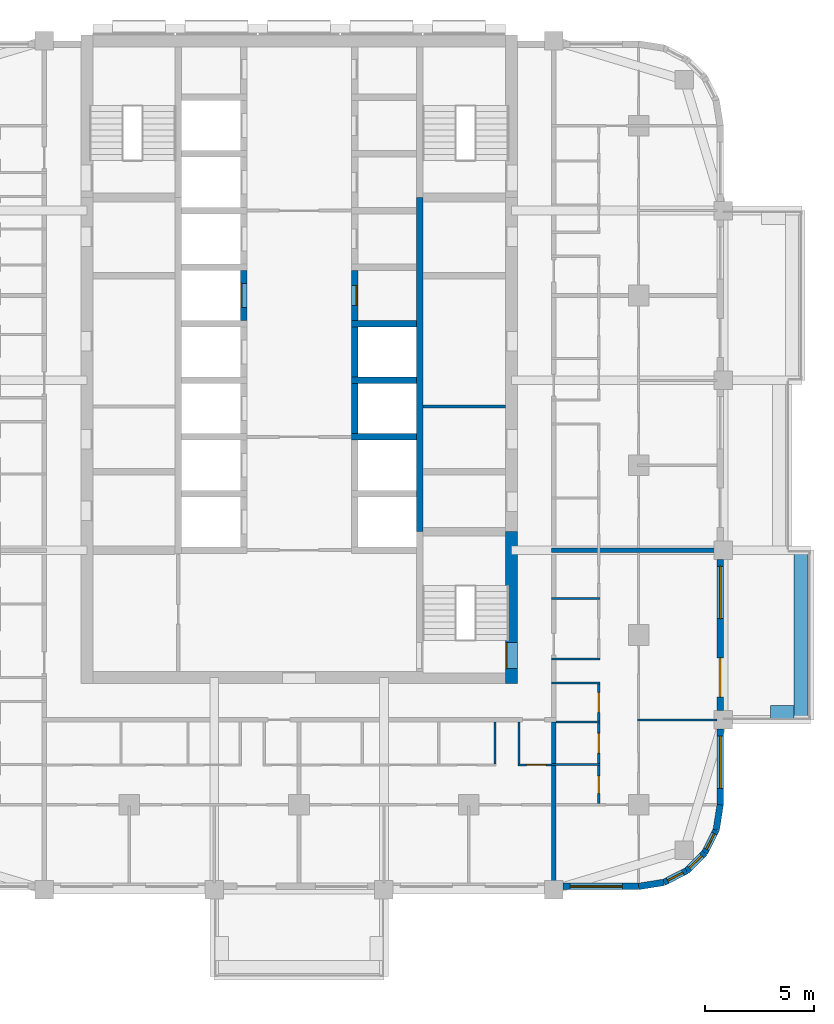
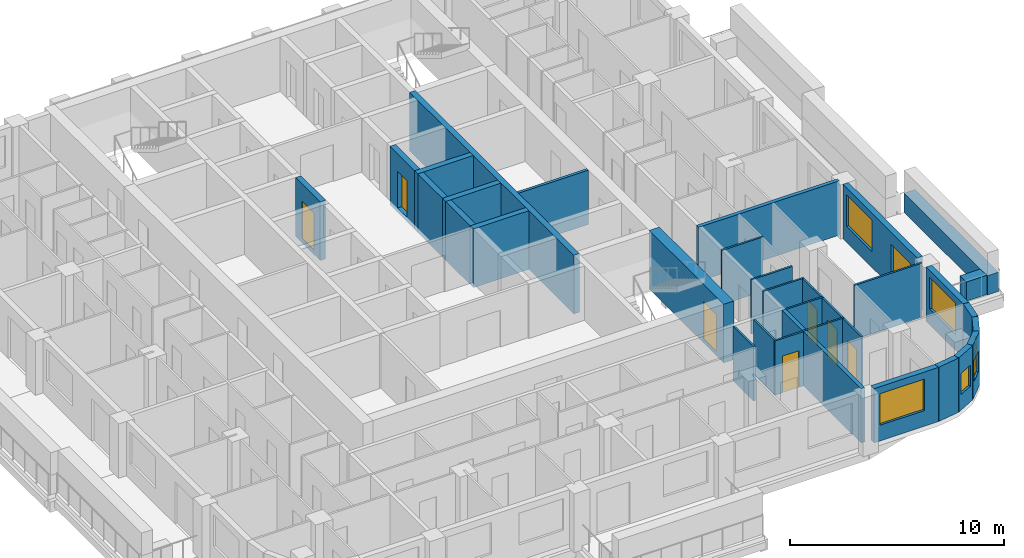
# One storey, part 6 of 14: 32 walls, 8 doors, 6 windows, 14 openings.
"""IFC4 building model written with IfcOpenShell, lengths in metres."""

from ifc_helpers import new_model, si_unit, direction, frame, frame_2d, origin, place, context, subcontext, project, spatial, rectangle, extrude, material, layer, layer_set, type_object, element, fill, save


model = new_model("IFC4")

# Units and contexts
model_context = context("Model", 3, precision=1e-05, world=origin(), true_north=direction((0.0, 1.0)))
body_context = subcontext(model_context, "Body", "Model", "MODEL_VIEW")
ifc_project = project(units=[si_unit("LENGTHUNIT", "METRE"), si_unit("AREAUNIT", "SQUARE_METRE"), si_unit("VOLUMEUNIT", "CUBIC_METRE"), si_unit("PLANEANGLEUNIT", "RADIAN"), si_unit("MASSUNIT", "GRAM", prefix="KILO")], contexts=[model_context])

# Site, building, storey
site_placement = place(None, origin())
site = spatial("IfcSite", under=ifc_project, at=site_placement, CompositionType="ELEMENT")
building_placement = place(site_placement, origin())
building = spatial("IfcBuilding", under=site, at=building_placement, Name="Ludao Terraces", CompositionType="ELEMENT")
storey_placement = place(building_placement, frame((0.0, 0.0, 113.5)))
storey = spatial("IfcBuildingStorey", under=building, at=storey_placement, Name="L31", CompositionType="ELEMENT", Elevation=113.5)

# Wall, opening, door
ifc_material_1 = material(Name="Concrete C60", Category="concrete")
ifc_layer_1 = layer(ifc_material_1, 0.550048828125)
ifc_layer_set_1 = layer_set([ifc_layer_1], Name="Core wall 550 C60")
wall_type_1 = type_object("IfcWallType", Name="Core wall 550 C60", PredefinedType="SOLIDWALL", material=ifc_layer_set_1)
wall_1_placement = place(storey_placement, frame((94.75, 54.97509765625, -0.25), z_axis=(0.0, 0.0, 1.0), x_axis=(0.0, 1.0, 0.0)))
wall_1 = element("IfcWall", 1, at=wall_1_placement, inside=storey, type_object=wall_type_1, Name="Core wall L31 outer-E-S3", PredefinedType="SOLIDWALL", context=body_context, shape_type="SweptSolid", body=[
    extrude(rectangle(XDim=6.974853515625, YDim=0.550048828125, at=frame_2d((3.4873046875, 0.0))), origin(), (0.0, 0.0, 1.0), 3.35009765625),
])
opening_1_placement = place(wall_1_placement, frame((0.675048828125, 0.0, 0.25)))
opening_1 = element("IfcOpeningElement", 2, at=opening_1_placement, cuts=wall_1, Name="Opening R09-033", PredefinedType="OPENING", context=body_context, shape_type="SweptSolid", body=[
    extrude(rectangle(XDim=1.199951171875, YDim=2.10009765625, at=frame_2d((0.60009765625, 1.050048828125))), frame((0.0, 0.28515625, 0.0), z_axis=(0.0, -1.0, 0.0), x_axis=(1.0, 0.0, 0.0)), (0.0, 0.0, 1.0), 0.570068359375),
])
ifc_material_2 = material(Name="Steel Q235", Category="steel")
door_type_1 = type_object("IfcDoorType", Name="INT Stair door 1200", OperationType="DOUBLE_DOOR_SINGLE_SWING", PredefinedType="DOOR", material=ifc_material_2)
door_1_placement = place(opening_1_placement, origin())
door_1 = element("IfcDoor", 3, at=door_1_placement, inside=storey, type_object=door_type_1, Name="DOOR 033", OperationType="DOUBLE_DOOR_SINGLE_SWING", OverallHeight=2.10009765625, OverallWidth=1.199951171875, PredefinedType="DOOR", context=body_context, shape_type="SweptSolid", body=[
    extrude(rectangle(XDim=1.199951171875, YDim=2.10009765625, at=frame_2d((0.60009765625, 1.050048828125))), frame((0.0, 0.26025390625, 0.0), z_axis=(0.0, -1.0, 0.0), x_axis=(1.0, 0.0, 0.0)), (0.0, 0.0, 1.0), 0.050048828125),
])
fill(opening_1, door_1)

# Walls
ifc_material_3 = material(Name="Concrete C40", Category="concrete")
ifc_layer_2 = layer(ifc_material_3, 0.60009765625)
ifc_layer_set_2 = layer_set([ifc_layer_2], Name="ENV Planter trough 600")
wall_type_2 = type_object("IfcWallType", Name="ENV Planter trough 600", PredefinedType="USERDEFINED", material=ifc_layer_set_2)
wall_2_placement = place(storey_placement, frame((108.050048828125, 53.300048828125, 0.0), z_axis=(0.0, 0.0, 1.0), x_axis=(0.0, 1.0, 0.0)))
element("IfcWall", 4, at=wall_2_placement, inside=storey, type_object=wall_type_2, Name="PL-L31-E1", ObjectType="PLANTER", PredefinedType="USERDEFINED", context=body_context, shape_type="SweptSolid", body=[
    extrude(rectangle(XDim=7.800048828125, YDim=0.60009765625, at=frame_2d((3.89990234375, 0.0))), origin(), (0.0, 0.0, 1.0), 1.10009765625),
])
wall_3_placement = place(storey_placement, frame((107.75, 53.64990234375, 0.0), z_axis=(0.0, 0.0, 1.0), x_axis=(-1.0, 0.0, 0.0)))
element("IfcWall", 5, at=wall_3_placement, inside=storey, type_object=wall_type_2, Name="PL-L31-E1-SA", ObjectType="PLANTER", PredefinedType="USERDEFINED", context=body_context, shape_type="SweptSolid", body=[
    extrude(rectangle(XDim=1.10009765625, YDim=0.60009765625, at=frame_2d((0.550048828125, 0.0))), origin(), (0.0, 0.0, 1.0), 1.10009765625),
])

# Wall, opening, window
ifc_material_4 = material(Name="Granite cladding", Category="masonry")
ifc_layer_3 = layer(ifc_material_4, 0.0400390625, Category="stone")
ifc_material_5 = material(Name="Mineral wool")
ifc_layer_4 = layer(ifc_material_5, 0.06005859375)
ifc_layer_5 = layer(ifc_material_3, 0.199951171875, Category="concrete")
ifc_layer_set_3 = layer_set([ifc_layer_3, ifc_layer_4, ifc_layer_5], Name="ENV Stone-clad wall 300")
wall_type_3 = type_object("IfcWallType", Name="ENV Stone-clad wall 300", PredefinedType="SOLIDWALL", material=ifc_layer_set_3)
wall_4_placement = place(storey_placement, frame((97.125, 45.64990234375, 0.0), z_axis=(0.0, 0.0, 1.0), x_axis=(1.0, 0.0, 0.0)))
wall_4 = element("IfcWall", 6, at=wall_4_placement, inside=storey, type_object=wall_type_3, Name="EW-L31-S5", PredefinedType="SOLIDWALL", context=body_context, shape_type="SweptSolid", body=[
    extrude(rectangle(XDim=3.47509765625, YDim=0.300048828125, at=frame_2d((1.737548828125, 0.0))), origin(), (0.0, 0.0, 1.0), 3.10009765625),
])
opening_2_placement = place(wall_4_placement, frame((0.324951171875, 0.0, 0.89990234375)))
opening_2 = element("IfcOpeningElement", 7, at=opening_2_placement, cuts=wall_4, Name="Opening W1", PredefinedType="OPENING", context=body_context, shape_type="SweptSolid", body=[
    extrude(rectangle(XDim=2.39990234375, YDim=1.800048828125, at=frame_2d((1.199951171875, 0.89990234375))), frame((0.0, 0.16015625, 0.0), z_axis=(0.0, -1.0, 0.0), x_axis=(1.0, 0.0, 0.0)), (0.0, 0.0, 1.0), 0.320068359375),
])
ifc_material_6 = material(Name="Clear glass in aluminium frame", Category="aluminium")
ifc_layer_6 = layer(ifc_material_6, 0.06005859375)
ifc_layer_set_4 = layer_set([ifc_layer_6], Name="ENV Window W1 2400x1800")
window_type_1 = type_object("IfcWindowType", Name="ENV Window W1 2400x1800", PartitioningType="DOUBLE_PANEL_VERTICAL", PredefinedType="WINDOW", material=ifc_layer_set_4)
window_1_placement = place(opening_2_placement, origin())
window_1 = element("IfcWindow", 8, at=window_1_placement, inside=storey, type_object=window_type_1, Name="W-L31-S5-1", OverallHeight=1.800048828125, OverallWidth=2.39990234375, PartitioningType="DOUBLE_PANEL_VERTICAL", PredefinedType="WINDOW", context=body_context, shape_type="SweptSolid", body=[
    extrude(rectangle(XDim=2.39990234375, YDim=1.800048828125, at=frame_2d((1.199951171875, 0.89990234375))), frame((0.0, 0.030029296875, 0.0), z_axis=(0.0, -1.0, 0.0), x_axis=(1.0, 0.0, 0.0)), (0.0, 0.0, 1.0), 0.06005859375),
])
fill(opening_2, window_1)

wall_5_placement = place(storey_placement, frame((104.35009765625, 49.39990234375, 0.0), z_axis=(0.0, 0.0, 1.0), x_axis=(0.0, 1.0, 0.0)))
wall_5 = element("IfcWall", 9, at=wall_5_placement, inside=storey, type_object=wall_type_3, Name="EW-L31-E1", PredefinedType="SOLIDWALL", context=body_context, shape_type="SweptSolid", body=[
    extrude(rectangle(XDim=3.47509765625, YDim=0.300048828125, at=frame_2d((1.737548828125, 0.0))), origin(), (0.0, 0.0, 1.0), 3.10009765625),
])
opening_3_placement = place(wall_5_placement, frame((0.75, 0.0, 0.89990234375)))
opening_3 = element("IfcOpeningElement", 10, at=opening_3_placement, cuts=wall_5, Name="Opening W1", PredefinedType="OPENING", context=body_context, shape_type="SweptSolid", body=[
    extrude(rectangle(XDim=2.39990234375, YDim=1.800048828125, at=frame_2d((1.199951171875, 0.89990234375))), frame((0.0, 0.16015625, 0.0), z_axis=(0.0, -1.0, 0.0), x_axis=(1.0, 0.0, 0.0)), (0.0, 0.0, 1.0), 0.320068359375),
])
window_2_placement = place(opening_3_placement, origin())
window_2 = element("IfcWindow", 11, at=window_2_placement, inside=storey, type_object=window_type_1, Name="W-L31-E1-1", OverallHeight=1.800048828125, OverallWidth=2.39990234375, PartitioningType="DOUBLE_PANEL_VERTICAL", PredefinedType="WINDOW", context=body_context, shape_type="SweptSolid", body=[
    extrude(rectangle(XDim=2.39990234375, YDim=1.800048828125, at=frame_2d((1.199951171875, 0.89990234375))), frame((0.0, 0.030029296875, 0.0), z_axis=(0.0, -1.0, 0.0), x_axis=(1.0, 0.0, 0.0)), (0.0, 0.0, 1.0), 0.06005859375),
])
fill(opening_3, window_2)

# Wall, openings, door, window
wall_6_placement = place(storey_placement, frame((104.35009765625, 53.72509765625, 0.0), z_axis=(0.0, 0.0, 1.0), x_axis=(0.0, 1.0, 0.0)))
wall_6 = element("IfcWall", 12, at=wall_6_placement, inside=storey, type_object=wall_type_3, Name="EW-L31-E2", PredefinedType="SOLIDWALL", context=body_context, shape_type="SweptSolid", body=[
    extrude(rectangle(XDim=6.949951171875, YDim=0.300048828125, at=frame_2d((3.47509765625, 0.0))), origin(), (0.0, 0.0, 1.0), 3.10009765625),
])
opening_4_placement = place(wall_6_placement, frame((0.625, 0.0, 0.0)))
opening_4 = element("IfcOpeningElement", 13, at=opening_4_placement, cuts=wall_6, Name="Opening BD", PredefinedType="OPENING", context=body_context, shape_type="SweptSolid", body=[
    extrude(rectangle(XDim=1.800048828125, YDim=2.39990234375, at=frame_2d((0.89990234375, 1.199951171875))), frame((0.0, 0.16015625, 0.0), z_axis=(0.0, -1.0, 0.0), x_axis=(1.0, 0.0, 0.0)), (0.0, 0.0, 1.0), 0.320068359375),
])
opening_5_placement = place(wall_6_placement, frame((4.22509765625, 0.0, 0.89990234375)))
opening_5 = element("IfcOpeningElement", 14, at=opening_5_placement, cuts=wall_6, Name="Opening W1", PredefinedType="OPENING", context=body_context, shape_type="SweptSolid", body=[
    extrude(rectangle(XDim=2.39990234375, YDim=1.800048828125, at=frame_2d((1.199951171875, 0.89990234375))), frame((0.0, 0.16015625, 0.0), z_axis=(0.0, -1.0, 0.0), x_axis=(1.0, 0.0, 0.0)), (0.0, 0.0, 1.0), 0.320068359375),
])
ifc_material_7 = material(Name="Aluminium glazed door", Category="aluminium")
ifc_layer_7 = layer(ifc_material_7, 0.06005859375)
ifc_layer_set_5 = layer_set([ifc_layer_7], Name="ENV Balcony door BD 1800x2400")
door_type_2 = type_object("IfcDoorType", Name="ENV Balcony door BD 1800x2400", OperationType="DOUBLE_DOOR_SINGLE_SWING", PredefinedType="DOOR", material=ifc_layer_set_5)
door_2_placement = place(opening_4_placement, origin())
door_2 = element("IfcDoor", 15, at=door_2_placement, inside=storey, type_object=door_type_2, Name="BD-L31-E2-1", OperationType="DOUBLE_DOOR_SINGLE_SWING", OverallHeight=2.39990234375, OverallWidth=1.800048828125, PredefinedType="DOOR", context=body_context, shape_type="SweptSolid", body=[
    extrude(rectangle(XDim=1.800048828125, YDim=2.39990234375, at=frame_2d((0.89990234375, 1.199951171875))), frame((0.0, 0.02490234375, 0.0), z_axis=(0.0, -1.0, 0.0), x_axis=(1.0, 0.0, 0.0)), (0.0, 0.0, 1.0), 0.050048828125),
])
fill(opening_4, door_2)
window_3_placement = place(opening_5_placement, origin())
window_3 = element("IfcWindow", 16, at=window_3_placement, inside=storey, type_object=window_type_1, Name="W-L31-E2-2", OverallHeight=1.800048828125, OverallWidth=2.39990234375, PartitioningType="DOUBLE_PANEL_VERTICAL", PredefinedType="WINDOW", context=body_context, shape_type="SweptSolid", body=[
    extrude(rectangle(XDim=2.39990234375, YDim=1.800048828125, at=frame_2d((1.199951171875, 0.89990234375))), frame((0.0, 0.030029296875, 0.0), z_axis=(0.0, -1.0, 0.0), x_axis=(1.0, 0.0, 0.0)), (0.0, 0.0, 1.0), 0.06005859375),
])
fill(opening_5, window_3)

# Wall
wall_7_placement = place(storey_placement, frame((100.60009765625, 45.64990234375, 0.0), z_axis=(0.0, 0.0, 1.0), x_axis=(0.987678452879, 0.156496880861, 0.0)))
element("IfcWall", 17, at=wall_7_placement, inside=storey, type_object=wall_type_3, Name="EW-L31-SE1", PredefinedType="SOLIDWALL", context=body_context, shape_type="SweptSolid", body=[
    extrude(rectangle(XDim=1.173095703125, YDim=0.300048828125, at=frame_2d((0.58642578125, 0.0))), origin(), (0.0, 0.0, 1.0), 3.10009765625),
])

# Wall, opening, window
wall_8_placement = place(storey_placement, frame((101.7587890625, 45.83349609375, 0.0), z_axis=(0.0, 0.0, 1.0), x_axis=(0.890988677504, 0.454025524128, 0.0)))
wall_8 = element("IfcWall", 18, at=wall_8_placement, inside=storey, type_object=wall_type_3, Name="EW-L31-SE2", PredefinedType="SOLIDWALL", context=body_context, shape_type="SweptSolid", body=[
    extrude(rectangle(XDim=1.17333984375, YDim=0.300048828125, at=frame_2d((0.586669921875, 0.0))), origin(), (0.0, 0.0, 1.0), 3.10009765625),
])
opening_6_placement = place(wall_8_placement, frame((0.1865234375, 0.0, 0.89990234375)))
opening_6 = element("IfcOpeningElement", 19, at=opening_6_placement, cuts=wall_8, Name="Opening W3", PredefinedType="OPENING", context=body_context, shape_type="SweptSolid", body=[
    extrude(rectangle(XDim=0.800048828125, YDim=1.199951171875, at=frame_2d((0.39990234375, 0.60009765625))), frame((0.0, 0.16015625, 0.0), z_axis=(0.0, -1.0, 0.0), x_axis=(1.0, 0.0, 0.0)), (0.0, 0.0, 1.0), 0.320068359375),
])
ifc_layer_8 = layer(ifc_material_6, 0.06005859375)
ifc_layer_set_6 = layer_set([ifc_layer_8], Name="ENV Window W3 800x1200")
window_type_2 = type_object("IfcWindowType", Name="ENV Window W3 800x1200", PartitioningType="SINGLE_PANEL", PredefinedType="WINDOW", material=ifc_layer_set_6)
window_4_placement = place(opening_6_placement, origin())
window_4 = element("IfcWindow", 20, at=window_4_placement, inside=storey, type_object=window_type_2, Name="W-L31-SE2", OverallHeight=1.199951171875, OverallWidth=0.800048828125, PartitioningType="SINGLE_PANEL", PredefinedType="WINDOW", context=body_context, shape_type="SweptSolid", body=[
    extrude(rectangle(XDim=0.800048828125, YDim=1.199951171875, at=frame_2d((0.39990234375, 0.60009765625))), frame((0.0, 0.030029296875, 0.0), z_axis=(0.0, -1.0, 0.0), x_axis=(1.0, 0.0, 0.0)), (0.0, 0.0, 1.0), 0.06005859375),
])
fill(opening_6, window_4)

wall_9_placement = place(storey_placement, frame((102.80419921875, 46.3662109375, 0.0), z_axis=(0.0, 0.0, 1.0), x_axis=(0.707106781187, 0.707106781187, 0.0)))
wall_9 = element("IfcWall", 21, at=wall_9_placement, inside=storey, type_object=wall_type_3, Name="EW-L31-SE3", PredefinedType="SOLIDWALL", context=body_context, shape_type="SweptSolid", body=[
    extrude(rectangle(XDim=1.173095703125, YDim=0.300048828125, at=frame_2d((0.58642578125, 0.0))), origin(), (0.0, 0.0, 1.0), 3.10009765625),
])
opening_7_placement = place(wall_9_placement, frame((0.1865234375, 0.0, 0.89990234375)))
opening_7 = element("IfcOpeningElement", 22, at=opening_7_placement, cuts=wall_9, Name="Opening W3", PredefinedType="OPENING", context=body_context, shape_type="SweptSolid", body=[
    extrude(rectangle(XDim=0.800048828125, YDim=1.199951171875, at=frame_2d((0.39990234375, 0.60009765625))), frame((0.0, 0.16015625, 0.0), z_axis=(0.0, -1.0, 0.0), x_axis=(1.0, 0.0, 0.0)), (0.0, 0.0, 1.0), 0.320068359375),
])
window_5_placement = place(opening_7_placement, origin())
window_5 = element("IfcWindow", 23, at=window_5_placement, inside=storey, type_object=window_type_2, Name="W-L31-SE3", OverallHeight=1.199951171875, OverallWidth=0.800048828125, PartitioningType="SINGLE_PANEL", PredefinedType="WINDOW", context=body_context, shape_type="SweptSolid", body=[
    extrude(rectangle(XDim=0.800048828125, YDim=1.199951171875, at=frame_2d((0.39990234375, 0.60009765625))), frame((0.0, 0.030029296875, 0.0), z_axis=(0.0, -1.0, 0.0), x_axis=(1.0, 0.0, 0.0)), (0.0, 0.0, 1.0), 0.06005859375),
])
fill(opening_7, window_5)

wall_10_placement = place(storey_placement, frame((103.6337890625, 47.19580078125, 0.0), z_axis=(0.0, 0.0, 1.0), x_axis=(0.454025524128, 0.890988677504, 0.0)))
wall_10 = element("IfcWall", 24, at=wall_10_placement, inside=storey, type_object=wall_type_3, Name="EW-L31-SE4", PredefinedType="SOLIDWALL", context=body_context, shape_type="SweptSolid", body=[
    extrude(rectangle(XDim=1.17333984375, YDim=0.300048828125, at=frame_2d((0.586669921875, 0.0))), origin(), (0.0, 0.0, 1.0), 3.10009765625),
])
opening_8_placement = place(wall_10_placement, frame((0.1865234375, 0.0, 0.89990234375)))
opening_8 = element("IfcOpeningElement", 25, at=opening_8_placement, cuts=wall_10, Name="Opening W3", PredefinedType="OPENING", context=body_context, shape_type="SweptSolid", body=[
    extrude(rectangle(XDim=0.800048828125, YDim=1.199951171875, at=frame_2d((0.39990234375, 0.60009765625))), frame((0.0, 0.16015625, 0.0), z_axis=(0.0, -1.0, 0.0), x_axis=(1.0, 0.0, 0.0)), (0.0, 0.0, 1.0), 0.320068359375),
])
window_6_placement = place(opening_8_placement, origin())
window_6 = element("IfcWindow", 26, at=window_6_placement, inside=storey, type_object=window_type_2, Name="W-L31-SE4", OverallHeight=1.199951171875, OverallWidth=0.800048828125, PartitioningType="SINGLE_PANEL", PredefinedType="WINDOW", context=body_context, shape_type="SweptSolid", body=[
    extrude(rectangle(XDim=0.800048828125, YDim=1.199951171875, at=frame_2d((0.39990234375, 0.60009765625))), frame((0.0, 0.030029296875, 0.0), z_axis=(0.0, -1.0, 0.0), x_axis=(1.0, 0.0, 0.0)), (0.0, 0.0, 1.0), 0.06005859375),
])
fill(opening_8, window_6)

# Walls
wall_11_placement = place(storey_placement, frame((104.16650390625, 48.2412109375, 0.0), z_axis=(0.0, 0.0, 1.0), x_axis=(0.156496880861, 0.987678452879, 0.0)))
element("IfcWall", 27, at=wall_11_placement, inside=storey, type_object=wall_type_3, Name="EW-L31-SE5", PredefinedType="SOLIDWALL", context=body_context, shape_type="SweptSolid", body=[
    extrude(rectangle(XDim=1.173095703125, YDim=0.300048828125, at=frame_2d((0.58642578125, 0.0))), origin(), (0.0, 0.0, 1.0), 3.10009765625),
])
ifc_material_8 = material(Name="Fire-rated gypsum plasterboard", Category="gypsum")
ifc_layer_9 = layer(ifc_material_8, 0.012451171875, Category="gypsum")
ifc_layer_10 = layer(ifc_material_5, 0.10009765625, Name="insulation")
ifc_layer_11 = layer(ifc_material_2, 0.02490234375, Name="stud")
ifc_layer_12 = layer(ifc_material_8, 0.012451171875, Category="gypsum")
ifc_layer_set_7 = layer_set([ifc_layer_9, ifc_layer_10, ifc_layer_11, ifc_layer_12], Name="INT Core partition 150")
wall_type_4 = type_object("IfcWallType", Name="INT Core partition 150", PredefinedType="PARTITIONING", material=ifc_layer_set_7)
wall_12_placement = place(storey_placement, frame((90.7001953125, 67.699951171875, 0.0), z_axis=(0.0, 0.0, 1.0), x_axis=(1.0, 0.0, 0.0)))
element("IfcWall", 28, at=wall_12_placement, inside=storey, type_object=wall_type_4, Name="PW-L31-PW028", PredefinedType="PARTITIONING", context=body_context, shape_type="SweptSolid", body=[
    extrude(rectangle(XDim=3.77490234375, YDim=0.14990234375, at=frame_2d((1.887451171875, 0.0))), origin(), (0.0, 0.0, 1.0), 3.10009765625),
])

# Wall, opening, door
ifc_material_9 = material(Name="Gypsum plasterboard", Category="gypsum")
ifc_layer_13 = layer(ifc_material_9, 0.012451171875, Category="gypsum")
ifc_layer_14 = layer(ifc_material_5, 0.06005859375, Name="insulation")
ifc_layer_15 = layer(ifc_material_2, 0.014892578125, Name="stud")
ifc_layer_16 = layer(ifc_material_9, 0.012451171875, Category="gypsum")
ifc_layer_set_8 = layer_set([ifc_layer_13, ifc_layer_14, ifc_layer_15, ifc_layer_16], Name="INT Partition 100")
wall_type_5 = type_object("IfcWallType", Name="INT Partition 100", PredefinedType="PARTITIONING", material=ifc_layer_set_8)
wall_13_placement = place(storey_placement, frame((95.050048828125, 51.22998046875, 0.0), z_axis=(0.0, 0.0, 1.0), x_axis=(1.0, 0.0, 0.0)))
wall_13 = element("IfcWall", 29, at=wall_13_placement, inside=storey, type_object=wall_type_5, Name="PW-L31-PW003", PredefinedType="PARTITIONING", context=body_context, shape_type="SweptSolid", body=[
    extrude(rectangle(XDim=1.550048828125, YDim=0.10009765625, at=frame_2d((0.77490234375, 0.0))), origin(), (0.0, 0.0, 1.0), 3.10009765625),
])
opening_9_placement = place(wall_13_placement, frame((0.39990234375, 0.0, 0.0)))
opening_9 = element("IfcOpeningElement", 30, at=opening_9_placement, cuts=wall_13, Name="Opening R09-020", PredefinedType="OPENING", context=body_context, shape_type="SweptSolid", body=[
    extrude(rectangle(XDim=0.89990234375, YDim=2.10009765625, at=frame_2d((0.449951171875, 1.050048828125))), frame((0.0, 0.06005859375, 0.0), z_axis=(0.0, -1.0, 0.0), x_axis=(1.0, 0.0, 0.0)), (0.0, 0.0, 1.0), 0.1201171875),
])
ifc_material_10 = material(Name="Timber door leaf", Category="wood")
door_type_3 = type_object("IfcDoorType", Name="INT Bathroom door 900", OperationType="SINGLE_SWING_LEFT", PredefinedType="DOOR", material=ifc_material_10)
door_3_placement = place(opening_9_placement, origin())
door_3 = element("IfcDoor", 31, at=door_3_placement, inside=storey, type_object=door_type_3, Name="DOOR 020", OperationType="SINGLE_SWING_RIGHT", OverallHeight=2.10009765625, OverallWidth=0.89990234375, PredefinedType="DOOR", context=body_context, shape_type="SweptSolid", body=[
    extrude(rectangle(XDim=0.89990234375, YDim=2.10009765625, at=frame_2d((0.449951171875, 1.050048828125))), frame((0.0, 0.02490234375, 0.0), z_axis=(0.0, -1.0, 0.0), x_axis=(1.0, 0.0, 0.0)), (0.0, 0.0, 1.0), 0.050048828125),
])
fill(opening_9, door_3)

# Walls
wall_14_placement = place(storey_placement, frame((96.60009765625, 51.25, 0.0), z_axis=(0.0, 0.0, 1.0), x_axis=(1.0, 0.0, 0.0)))
element("IfcWall", 32, at=wall_14_placement, inside=storey, type_object=wall_type_5, Name="PW-L31-PW005", PredefinedType="PARTITIONING", context=body_context, shape_type="SweptSolid", body=[
    extrude(rectangle(XDim=2.219970703125, YDim=0.10009765625, at=frame_2d((1.10986328125, 0.0))), origin(), (0.0, 0.0, 1.0), 3.10009765625),
])
wall_15_placement = place(storey_placement, frame((96.800048828125, 53.199951171875, 0.0), z_axis=(0.0, 0.0, 1.0), x_axis=(1.0, 0.0, 0.0)))
element("IfcWall", 33, at=wall_15_placement, inside=storey, type_object=wall_type_5, Name="PW-L31-PW006", PredefinedType="PARTITIONING", context=body_context, shape_type="SweptSolid", body=[
    extrude(rectangle(XDim=2.02001953125, YDim=0.10009765625, at=frame_2d((1.010009765625, 0.0))), origin(), (0.0, 0.0, 1.0), 3.10009765625),
])
wall_16_placement = place(storey_placement, frame((100.550048828125, 53.300048828125, 0.0), z_axis=(0.0, 0.0, 1.0), x_axis=(1.0, 0.0, 0.0)))
element("IfcWall", 34, at=wall_16_placement, inside=storey, type_object=wall_type_5, Name="PW-L31-PW009", PredefinedType="PARTITIONING", context=body_context, shape_type="SweptSolid", body=[
    extrude(rectangle(XDim=3.650146484375, YDim=0.10009765625, at=frame_2d((1.8251953125, 0.0))), origin(), (0.0, 0.0, 1.0), 3.10009765625),
])
for number, where, z_axis, x_axis, name in (
    (35, (96.60009765625, 55.0, 0.0), (0.0, 0.0, 1.0), (1.0, 0.0, 0.0), "PW-L31-PW011"),
    (36, (96.60009765625, 56.10009765625, 0.0), (0.0, 0.0, 1.0), (1.0, 0.0, 0.0), "PW-L31-PW013"),
    (37, (96.60009765625, 58.8701171875, 0.0), (0.0, 0.0, 1.0), (1.0, 0.0, 0.0), "PW-L31-PW016"),
):
    element("IfcWall", number, at=place(storey_placement, frame(where, z_axis=z_axis, x_axis=x_axis)), inside=storey, type_object=wall_type_5, Name=name, PredefinedType="PARTITIONING", context=body_context, shape_type="SweptSolid", body=[
        extrude(rectangle(XDim=2.219970703125, YDim=0.10009765625, at=frame_2d((1.10986328125, 0.0))), origin(), (0.0, 0.0, 1.0), 3.10009765625),
    ])
for number, where, z_axis, x_axis, name in (
    (38, (94.0, 51.280029296875, 0.0), (0.0, 0.0, 1.0), (0.0, 1.0, 0.0), "PW-L31-PW069"),
    (39, (95.10009765625, 51.280029296875, 0.0), (0.0, 0.0, 1.0), (0.0, 1.0, 0.0), "PW-L31-PW070"),
):
    element("IfcWall", number, at=place(storey_placement, frame(where, z_axis=z_axis, x_axis=x_axis)), inside=storey, type_object=wall_type_5, Name=name, PredefinedType="PARTITIONING", context=body_context, shape_type="SweptSolid", body=[
        extrude(rectangle(XDim=1.920166015625, YDim=0.10009765625, at=frame_2d((0.9599609375, 0.0))), origin(), (0.0, 0.0, 1.0), 3.10009765625),
    ])

# Wall, openings, doors
wall_17_placement = place(storey_placement, frame((98.77001953125, 49.4501953125, 0.0), z_axis=(0.0, 0.0, 1.0), x_axis=(0.0, 1.0, 0.0)))
wall_17 = element("IfcWall", 40, at=wall_17_placement, inside=storey, type_object=wall_type_5, Name="PW-L31-PW073", PredefinedType="PARTITIONING", context=body_context, shape_type="SweptSolid", body=[
    extrude(rectangle(XDim=5.5, YDim=0.10009765625, at=frame_2d((2.75, 0.0))), origin(), (0.0, 0.0, 1.0), 3.10009765625),
])
opening_10_placement = place(wall_17_placement, frame((0.474853515625, 0.0, 0.0)))
opening_10 = element("IfcOpeningElement", 41, at=opening_10_placement, cuts=wall_17, Name="Opening R09-012", PredefinedType="OPENING", context=body_context, shape_type="SweptSolid", body=[
    extrude(rectangle(XDim=0.800048828125, YDim=2.10009765625, at=frame_2d((0.39990234375, 1.050048828125))), frame((0.0, 0.06005859375, 0.0), z_axis=(0.0, -1.0, 0.0), x_axis=(1.0, 0.0, 0.0)), (0.0, 0.0, 1.0), 0.1201171875),
])
opening_11_placement = place(wall_17_placement, frame((2.324951171875, 0.0, 0.0)))
opening_11 = element("IfcOpeningElement", 42, at=opening_11_placement, cuts=wall_17, Name="Opening R09-023", PredefinedType="OPENING", context=body_context, shape_type="SweptSolid", body=[
    extrude(rectangle(XDim=0.89990234375, YDim=2.10009765625, at=frame_2d((0.449951171875, 1.050048828125))), frame((0.0, 0.06005859375, 0.0), z_axis=(0.0, -1.0, 0.0), x_axis=(1.0, 0.0, 0.0)), (0.0, 0.0, 1.0), 0.1201171875),
])
opening_12_placement = place(wall_17_placement, frame((4.199951171875, 0.0, 0.0)))
opening_12 = element("IfcOpeningElement", 43, at=opening_12_placement, cuts=wall_17, Name="Opening R09-027", PredefinedType="OPENING", context=body_context, shape_type="SweptSolid", body=[
    extrude(rectangle(XDim=0.89990234375, YDim=2.10009765625, at=frame_2d((0.449951171875, 1.050048828125))), frame((0.0, 0.06005859375, 0.0), z_axis=(0.0, -1.0, 0.0), x_axis=(1.0, 0.0, 0.0)), (0.0, 0.0, 1.0), 0.1201171875),
])
door_4_placement = place(opening_11_placement, origin())
door_4 = element("IfcDoor", 44, at=door_4_placement, inside=storey, type_object=door_type_3, Name="DOOR 023", OperationType="SINGLE_SWING_RIGHT", OverallHeight=2.10009765625, OverallWidth=0.89990234375, PredefinedType="DOOR", context=body_context, shape_type="SweptSolid", body=[
    extrude(rectangle(XDim=0.89990234375, YDim=2.10009765625, at=frame_2d((0.449951171875, 1.050048828125))), frame((0.0, 0.02490234375, 0.0), z_axis=(0.0, -1.0, 0.0), x_axis=(1.0, 0.0, 0.0)), (0.0, 0.0, 1.0), 0.050048828125),
])
fill(opening_11, door_4)
door_5_placement = place(opening_12_placement, origin())
door_5 = element("IfcDoor", 45, at=door_5_placement, inside=storey, type_object=door_type_3, Name="DOOR 027", OperationType="SINGLE_SWING_RIGHT", OverallHeight=2.10009765625, OverallWidth=0.89990234375, PredefinedType="DOOR", context=body_context, shape_type="SweptSolid", body=[
    extrude(rectangle(XDim=0.89990234375, YDim=2.10009765625, at=frame_2d((0.449951171875, 1.050048828125))), frame((0.0, 0.02490234375, 0.0), z_axis=(0.0, -1.0, 0.0), x_axis=(1.0, 0.0, 0.0)), (0.0, 0.0, 1.0), 0.050048828125),
])
fill(opening_12, door_5)
door_type_4 = type_object("IfcDoorType", Name="INT Store door 800", OperationType="SINGLE_SWING_LEFT", PredefinedType="DOOR", material=ifc_material_10)
door_6_placement = place(opening_10_placement, origin())
door_6 = element("IfcDoor", 46, at=door_6_placement, inside=storey, type_object=door_type_4, Name="DOOR 012", OperationType="SINGLE_SWING_LEFT", OverallHeight=2.10009765625, OverallWidth=0.800048828125, PredefinedType="DOOR", context=body_context, shape_type="SweptSolid", body=[
    extrude(rectangle(XDim=0.800048828125, YDim=2.10009765625, at=frame_2d((0.39990234375, 1.050048828125))), frame((0.0, 0.02490234375, 0.0), z_axis=(0.0, -1.0, 0.0), x_axis=(1.0, 0.0, 0.0)), (0.0, 0.0, 1.0), 0.050048828125),
])
fill(opening_10, door_6)

# Walls
ifc_material_11 = material(Name="Autoclaved aerated concrete block B06 A3.5", Category="concrete")
ifc_layer_17 = layer(ifc_material_11, 0.199951171875)
ifc_layer_set_9 = layer_set([ifc_layer_17], Name="INT Party wall 200")
wall_type_6 = type_object("IfcWallType", Name="INT Party wall 200", PredefinedType="PARTITIONING", material=ifc_layer_set_9)
wall_18_placement = place(storey_placement, frame((96.60009765625, 61.10009765625, 0.0), z_axis=(0.0, 0.0, 1.0), x_axis=(1.0, 0.0, 0.0)))
element("IfcWall", 47, at=wall_18_placement, inside=storey, type_object=wall_type_6, Name="PW-L31-PW019", PredefinedType="PARTITIONING", context=body_context, shape_type="SweptSolid", body=[
    extrude(rectangle(XDim=7.60009765625, YDim=0.199951171875, at=frame_2d((3.800048828125, 0.0))), origin(), (0.0, 0.0, 1.0), 3.10009765625),
])
wall_19_placement = place(storey_placement, frame((96.699951171875, 45.800048828125, 0.0), z_axis=(0.0, 0.0, 1.0), x_axis=(0.0, 1.0, 0.0)))
element("IfcWall", 48, at=wall_19_placement, inside=storey, type_object=wall_type_6, Name="PW-L31-PW071", PredefinedType="PARTITIONING", context=body_context, shape_type="SweptSolid", body=[
    extrude(rectangle(XDim=7.400146484375, YDim=0.199951171875, at=frame_2d((3.7001953125, 0.0))), origin(), (0.0, 0.0, 1.0), 3.10009765625),
])
ifc_material_12 = material(Name="Concrete C55", Category="concrete")
ifc_layer_18 = layer(ifc_material_12, 0.300048828125)
ifc_layer_set_10 = layer_set([ifc_layer_18], Name="Shaft wall 300 C55")
wall_type_7 = type_object("IfcWallType", Name="Shaft wall 300 C55", PredefinedType="SOLIDWALL", material=ifc_layer_set_10)
wall_20_placement = place(storey_placement, frame((90.550048828125, 61.949951171875, -0.25), z_axis=(0.0, 0.0, 1.0), x_axis=(0.0, 1.0, 0.0)))
element("IfcWall", 49, at=wall_20_placement, inside=storey, type_object=wall_type_7, Name="Core wall L31 back-E", PredefinedType="SOLIDWALL", context=body_context, shape_type="SweptSolid", body=[
    extrude(rectangle(XDim=15.35009765625, YDim=0.300048828125, at=frame_2d((7.675048828125, 0.0))), origin(), (0.0, 0.0, 1.0), 3.35009765625),
])

# Wall, opening, door
wall_21_placement = place(storey_placement, frame((82.449951171875, 71.64990234375, -0.25), z_axis=(0.0, 0.0, 1.0), x_axis=(0.0, 1.0, 0.0)))
wall_21 = element("IfcWall", 50, at=wall_21_placement, inside=storey, type_object=wall_type_7, Name="Core wall L31 front-W5", PredefinedType="SOLIDWALL", context=body_context, shape_type="SweptSolid", body=[
    extrude(rectangle(XDim=2.300048828125, YDim=0.300048828125, at=frame_2d((1.14990234375, 0.0))), origin(), (0.0, 0.0, 1.0), 3.35009765625),
])
opening_13_placement = place(wall_21_placement, frame((0.60009765625, 0.0, 0.25)))
opening_13 = element("IfcOpeningElement", 51, at=opening_13_placement, cuts=wall_21, Name="Opening LD-LA5", PredefinedType="OPENING", context=body_context, shape_type="SweptSolid", body=[
    extrude(rectangle(XDim=1.10009765625, YDim=2.10009765625, at=frame_2d((0.550048828125, 1.050048828125))), frame((0.0, 0.16015625, 0.0), z_axis=(0.0, -1.0, 0.0), x_axis=(1.0, 0.0, 0.0)), (0.0, 0.0, 1.0), 0.320068359375),
])
ifc_material_13 = material(Name="Stainless steel 304", Category="steel")
door_type_5 = type_object("IfcDoorType", Name="INT Lift landing door 1100", OperationType="SLIDING_TO_LEFT", PredefinedType="DOOR", material=ifc_material_13)
door_7_placement = place(opening_13_placement, origin())
door_7 = element("IfcDoor", 52, at=door_7_placement, inside=storey, type_object=door_type_5, Name="LANDING DOOR LA5 L31", OperationType="SLIDING_TO_LEFT", OverallHeight=2.10009765625, OverallWidth=1.10009765625, PredefinedType="DOOR", context=body_context, shape_type="SweptSolid", body=[
    extrude(rectangle(XDim=1.10009765625, YDim=2.10009765625, at=frame_2d((0.550048828125, 1.050048828125))), frame((0.0, 0.13525390625, 0.0), z_axis=(0.0, -1.0, 0.0), x_axis=(1.0, 0.0, 0.0)), (0.0, 0.0, 1.0), 0.050048828125),
])
fill(opening_13, door_7)

# Walls
wall_22_placement = place(storey_placement, frame((87.39990234375, 66.300048828125, -0.25), z_axis=(0.0, 0.0, 1.0), x_axis=(1.0, 0.0, 0.0)))
element("IfcWall", 53, at=wall_22_placement, inside=storey, type_object=wall_type_7, Name="Core wall L31 div-E3", PredefinedType="SOLIDWALL", context=body_context, shape_type="SweptSolid", body=[
    extrude(rectangle(XDim=3.0, YDim=0.300048828125, at=frame_2d((1.5, 0.0))), origin(), (0.0, 0.0, 1.0), 3.35009765625),
])
wall_23_placement = place(storey_placement, frame((87.550048828125, 66.449951171875, -0.25), z_axis=(0.0, 0.0, 1.0), x_axis=(0.0, 1.0, 0.0)))
element("IfcWall", 54, at=wall_23_placement, inside=storey, type_object=wall_type_7, Name="Core wall L31 front-E3", PredefinedType="SOLIDWALL", context=body_context, shape_type="SweptSolid", body=[
    extrude(rectangle(XDim=2.300048828125, YDim=0.300048828125, at=frame_2d((1.14990234375, 0.0))), origin(), (0.0, 0.0, 1.0), 3.35009765625),
])
wall_24_placement = place(storey_placement, frame((87.39990234375, 68.89990234375, -0.25), z_axis=(0.0, 0.0, 1.0), x_axis=(1.0, 0.0, 0.0)))
element("IfcWall", 55, at=wall_24_placement, inside=storey, type_object=wall_type_7, Name="Core wall L31 div-E4", PredefinedType="SOLIDWALL", context=body_context, shape_type="SweptSolid", body=[
    extrude(rectangle(XDim=3.0, YDim=0.300048828125, at=frame_2d((1.5, 0.0))), origin(), (0.0, 0.0, 1.0), 3.35009765625),
])
wall_25_placement = place(storey_placement, frame((87.550048828125, 69.050048828125, -0.25), z_axis=(0.0, 0.0, 1.0), x_axis=(0.0, 1.0, 0.0)))
element("IfcWall", 56, at=wall_25_placement, inside=storey, type_object=wall_type_7, Name="Core wall L31 front-E4", PredefinedType="SOLIDWALL", context=body_context, shape_type="SweptSolid", body=[
    extrude(rectangle(XDim=2.300048828125, YDim=0.300048828125, at=frame_2d((1.14990234375, 0.0))), origin(), (0.0, 0.0, 1.0), 3.35009765625),
])
wall_26_placement = place(storey_placement, frame((87.39990234375, 71.5, -0.25), z_axis=(0.0, 0.0, 1.0), x_axis=(1.0, 0.0, 0.0)))
element("IfcWall", 57, at=wall_26_placement, inside=storey, type_object=wall_type_7, Name="Core wall L31 div-E5", PredefinedType="SOLIDWALL", context=body_context, shape_type="SweptSolid", body=[
    extrude(rectangle(XDim=3.0, YDim=0.300048828125, at=frame_2d((1.5, 0.0))), origin(), (0.0, 0.0, 1.0), 3.35009765625),
])

# Wall, opening, door
wall_27_placement = place(storey_placement, frame((87.550048828125, 71.64990234375, -0.25), z_axis=(0.0, 0.0, 1.0), x_axis=(0.0, 1.0, 0.0)))
wall_27 = element("IfcWall", 58, at=wall_27_placement, inside=storey, type_object=wall_type_7, Name="Core wall L31 front-E5", PredefinedType="SOLIDWALL", context=body_context, shape_type="SweptSolid", body=[
    extrude(rectangle(XDim=2.300048828125, YDim=0.300048828125, at=frame_2d((1.14990234375, 0.0))), origin(), (0.0, 0.0, 1.0), 3.35009765625),
])
opening_14_placement = place(wall_27_placement, frame((0.699951171875, 0.0, 0.25)))
opening_14 = element("IfcOpeningElement", 59, at=opening_14_placement, cuts=wall_27, Name="Opening R09-070", PredefinedType="OPENING", context=body_context, shape_type="SweptSolid", body=[
    extrude(rectangle(XDim=0.89990234375, YDim=2.10009765625, at=frame_2d((0.449951171875, 1.050048828125))), frame((0.0, 0.16015625, 0.0), z_axis=(0.0, -1.0, 0.0), x_axis=(1.0, 0.0, 0.0)), (0.0, 0.0, 1.0), 0.320068359375),
])
door_type_6 = type_object("IfcDoorType", Name="INT Room door 900", OperationType="SINGLE_SWING_LEFT", PredefinedType="DOOR", material=ifc_material_10)
door_8_placement = place(opening_14_placement, origin())
door_8 = element("IfcDoor", 60, at=door_8_placement, inside=storey, type_object=door_type_6, Name="DOOR 070", OperationType="SINGLE_SWING_RIGHT", OverallHeight=2.10009765625, OverallWidth=0.89990234375, PredefinedType="DOOR", context=body_context, shape_type="SweptSolid", body=[
    extrude(rectangle(XDim=0.89990234375, YDim=2.10009765625, at=frame_2d((0.449951171875, 1.050048828125))), frame((0.0, -0.0849609375, 0.0), z_axis=(0.0, -1.0, 0.0), x_axis=(1.0, 0.0, 0.0)), (0.0, 0.0, 1.0), 0.050048828125),
])
fill(opening_14, door_8)

save(model, "model.ifc")
